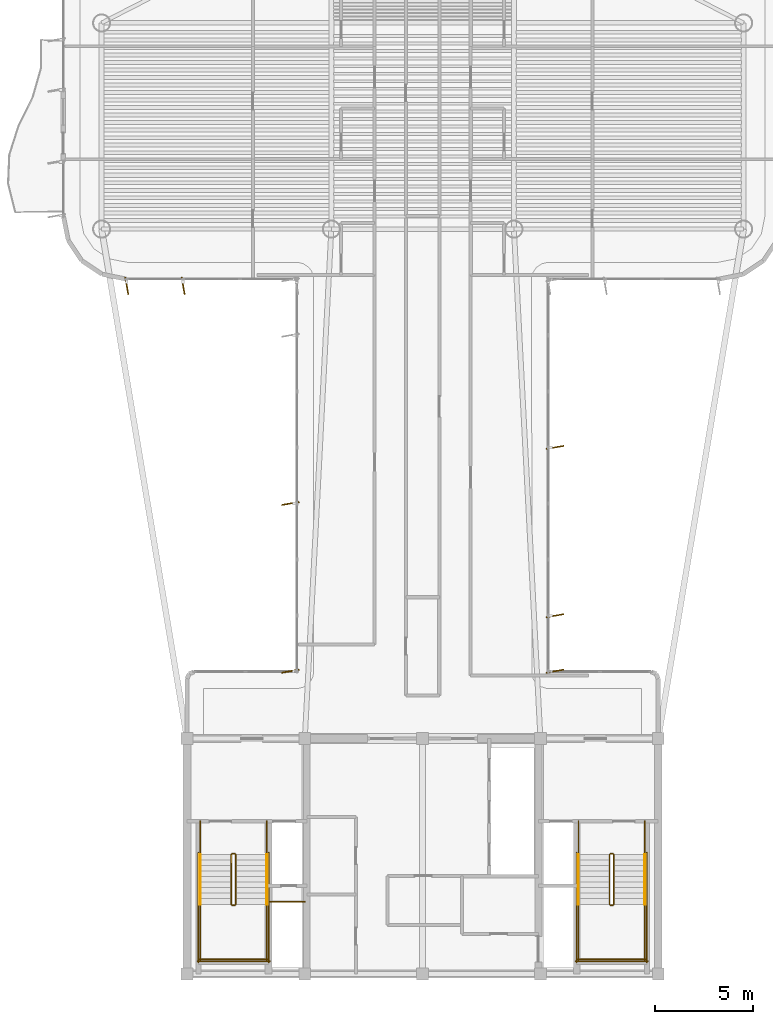
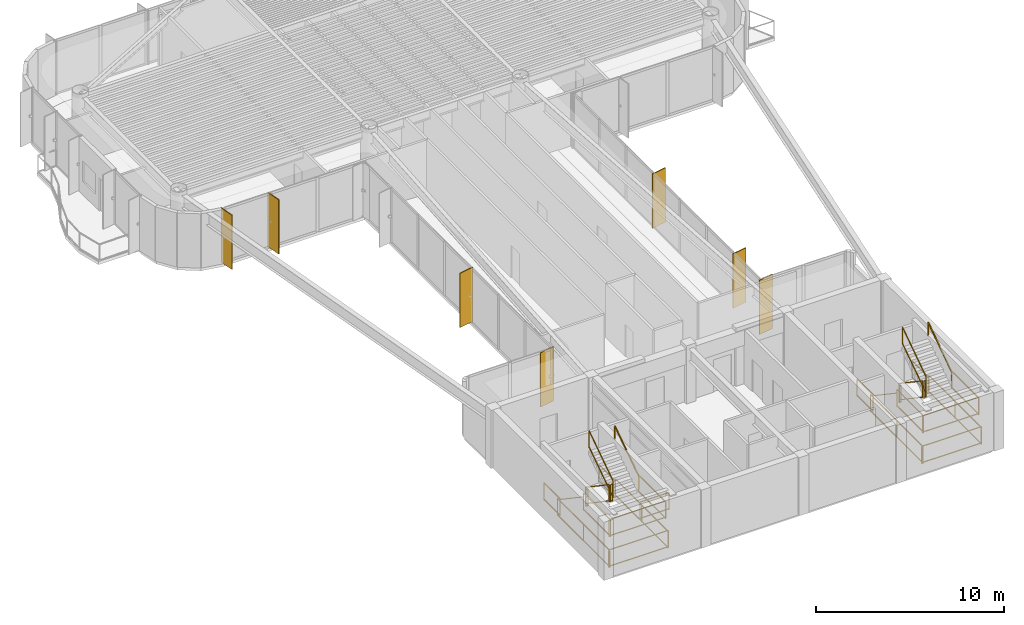
# One storey, part 15 of 16: 29 railings, 7 shading devices.
"""IFC4 building model written with IfcOpenShell, lengths in metres."""

from ifc_helpers import new_model, si_unit, direction, frame, origin, origin_2d, place, context, subcontext, project, spatial, rectangle, extrude, source, transform, mapped, material, layer, layer_set, material_profile, profile_set, type_object, element, save


model = new_model("IFC4")

# Units and contexts
model_context = context("Model", 3, precision=1e-05, world=origin(), true_north=direction((0.0, 1.0)))
body_context = subcontext(model_context, "Body", "Model", "MODEL_VIEW")
ifc_project = project(units=[si_unit("LENGTHUNIT", "METRE"), si_unit("AREAUNIT", "SQUARE_METRE"), si_unit("VOLUMEUNIT", "CUBIC_METRE"), si_unit("PLANEANGLEUNIT", "RADIAN"), si_unit("MASSUNIT", "GRAM", prefix="KILO")], contexts=[model_context])

# Site, building, storey
site_placement = place(None, origin())
site = spatial("IfcSite", under=ifc_project, at=site_placement, CompositionType="ELEMENT")
building_placement = place(site_placement, origin())
building = spatial("IfcBuilding", under=site, at=building_placement, Name="Brelvock Crest Care Tower", CompositionType="ELEMENT")
storey_placement = place(building_placement, frame((0.0, 0.0, 234.360107421875)))
storey = spatial("IfcBuildingStorey", under=building, at=storey_placement, Name="L59", CompositionType="ELEMENT", Elevation=234.360107421875)

# Railings
ifc_material_1 = material(Name="Steel Grade 350", Category="steel")
ifc_layer_1 = layer(ifc_material_1, 0.050048828125, Name="RL-STG1")
ifc_layer_set_1 = layer_set([ifc_layer_1], Name="Steel Grade 350")
railing_type_1 = type_object("IfcRailingType", Name="RL-STG1", PredefinedType="GUARDRAIL", material=ifc_layer_set_1)
railing_1_placement = place(storey_placement, frame((26.260009765625, 12.080078125, 0.18896484375)))
element("IfcRailing", 1, at=railing_1_placement, inside=storey, type_object=railing_type_1, Name="L59 ST-1 stair guard 1", PredefinedType="GUARDRAIL", context=body_context, shape_type="SweptSolid", body=[
    extrude(rectangle(XDim=0.048095703125, YDim=0.048095703125, at=origin_2d()), frame((0.0, -0.001708984375, 1.116943359375), z_axis=(0.0, -0.828861706735, 0.559453546873), x_axis=(1.0, 0.0, 0.0)), (0.0, 0.0, 1.0), 3.036376953125),
    extrude(rectangle(XDim=0.048095703125, YDim=0.048095703125, at=origin_2d()), frame((0.0, -0.001708984375, 0.05615234375), z_axis=(0.0, -0.828861706735, 0.559453546873), x_axis=(1.0, 0.0, 0.0)), (0.0, 0.0, 1.0), 3.036376953125),
    extrude(rectangle(XDim=0.0419921875, YDim=0.0419921875, at=origin_2d()), origin(), (0.0, 0.0, 1.0), 1.08984375),
    extrude(rectangle(XDim=0.0419921875, YDim=0.0419921875, at=origin_2d()), frame((0.0, -2.52001953125, 1.700927734375)), (0.0, 0.0, 1.0), 1.08984375),
])
railing_2_placement = place(storey_placement, frame((26.31005859375, 9.510009765625, 1.889892578125)))
element("IfcRailing", 2, at=railing_2_placement, inside=storey, type_object=railing_type_1, Name="L59 ST-1 stair guard 2", PredefinedType="GUARDRAIL", context=body_context, shape_type="SweptSolid", body=[
    extrude(rectangle(XDim=0.048095703125, YDim=0.048095703125, at=origin_2d()), frame((0.001953125, 0.0, 1.11572265625), z_axis=(1.0, 0.0, 0.0), x_axis=(0.0, 1.0, 0.0)), (0.0, 0.0, 1.0), 0.115966796875),
    extrude(rectangle(XDim=0.048095703125, YDim=0.048095703125, at=origin_2d()), frame((0.001953125, 0.0, 0.054931640625), z_axis=(1.0, 0.0, 0.0), x_axis=(0.0, 1.0, 0.0)), (0.0, 0.0, 1.0), 0.115966796875),
    extrude(rectangle(XDim=0.0419921875, YDim=0.0419921875, at=origin_2d()), origin(), (0.0, 0.0, 1.0), 1.08984375),
    extrude(rectangle(XDim=0.0419921875, YDim=0.0419921875, at=origin_2d()), frame((0.119873046875, 0.0, 0.0)), (0.0, 0.0, 1.0), 1.08984375),
])
for number, where, name in (
    (3, (24.679931640625, 9.56005859375, 1.889892578125), "L59 ST-1 stair guard 3"),
    (4, (28.06005859375, 9.56005859375, 1.889892578125), "L59 ST-1 stair guard 4"),
):
    element("IfcRailing", number, at=place(storey_placement, frame(where)), inside=storey, type_object=railing_type_1, Name=name, PredefinedType="GUARDRAIL", context=body_context, shape_type="SweptSolid", body=[
        extrude(rectangle(XDim=0.048095703125, YDim=0.048095703125, at=origin_2d()), frame((0.0, -0.001953125, 1.11572265625), z_axis=(0.0, -1.0, 0.0), x_axis=(1.0, 0.0, 0.0)), (0.0, 0.0, 1.0), 2.856201171875),
        extrude(rectangle(XDim=0.048095703125, YDim=0.048095703125, at=origin_2d()), frame((0.0, -0.001953125, 0.054931640625), z_axis=(0.0, -1.0, 0.0), x_axis=(1.0, 0.0, 0.0)), (0.0, 0.0, 1.0), 2.856201171875),
        extrude(rectangle(XDim=0.0419921875, YDim=0.0419921875, at=origin_2d()), origin(), (0.0, 0.0, 1.0), 1.08984375),
        extrude(rectangle(XDim=0.0419921875, YDim=0.0419921875, at=origin_2d()), frame((0.0, -2.860107421875, 0.0)), (0.0, 0.0, 1.0), 1.08984375),
    ])
railing_3_placement = place(storey_placement, frame((24.6298828125, 6.75, 1.889892578125)))
element("IfcRailing", 5, at=railing_3_placement, inside=storey, type_object=railing_type_1, Name="L59 ST-1 stair guard 5", PredefinedType="GUARDRAIL", context=body_context, shape_type="SweptSolid", body=[
    extrude(rectangle(XDim=0.048095703125, YDim=0.048095703125, at=origin_2d()), frame((0.001953125, 0.0, 1.11572265625), z_axis=(1.0, 0.0, 0.0), x_axis=(0.0, 1.0, 0.0)), (0.0, 0.0, 1.0), 3.476318359375),
    extrude(rectangle(XDim=0.048095703125, YDim=0.048095703125, at=origin_2d()), frame((0.001953125, 0.0, 0.054931640625), z_axis=(1.0, 0.0, 0.0), x_axis=(0.0, 1.0, 0.0)), (0.0, 0.0, 1.0), 3.476318359375),
    extrude(rectangle(XDim=0.0419921875, YDim=0.0419921875, at=origin_2d()), origin(), (0.0, 0.0, 1.0), 1.08984375),
    extrude(rectangle(XDim=0.0419921875, YDim=0.0419921875, at=origin_2d()), frame((3.480224609375, 0.0, 0.0)), (0.0, 0.0, 1.0), 1.08984375),
])
railing_4_placement = place(storey_placement, frame((26.47998046875, 9.56005859375, 2.078857421875)))
element("IfcRailing", 6, at=railing_4_placement, inside=storey, type_object=railing_type_1, Name="L59 ST-1 stair guard 6", PredefinedType="GUARDRAIL", context=body_context, shape_type="SweptSolid", body=[
    extrude(rectangle(XDim=0.048095703125, YDim=0.048095703125, at=origin_2d()), frame((0.0, 0.001708984375, 1.116943359375), z_axis=(0.0, 0.828861706735, 0.559453546873), x_axis=(-1.0, 0.0, 0.0)), (0.0, 0.0, 1.0), 3.036376953125),
    extrude(rectangle(XDim=0.048095703125, YDim=0.048095703125, at=origin_2d()), frame((0.0, 0.001708984375, 0.05615234375), z_axis=(0.0, 0.828861706735, 0.559453546873), x_axis=(-1.0, 0.0, 0.0)), (0.0, 0.0, 1.0), 3.036376953125),
    extrude(rectangle(XDim=0.0419921875, YDim=0.0419921875, at=origin_2d()), origin(), (0.0, 0.0, 1.0), 1.08984375),
    extrude(rectangle(XDim=0.0419921875, YDim=0.0419921875, at=origin_2d()), frame((0.0, 2.52001953125, 1.700927734375)), (0.0, 0.0, 1.0), 1.08984375),
])
railing_5_placement = place(storey_placement, frame((26.31005859375, 12.1298828125, 0.0)))
element("IfcRailing", 7, at=railing_5_placement, inside=storey, type_object=railing_type_1, Name="L59 ST-1 stair guard 7", PredefinedType="GUARDRAIL", context=body_context, shape_type="SweptSolid", body=[
    extrude(rectangle(XDim=0.048095703125, YDim=0.048095703125, at=origin_2d()), frame((0.001953125, 0.0, 1.11572265625), z_axis=(1.0, 0.0, 0.0), x_axis=(0.0, 1.0, 0.0)), (0.0, 0.0, 1.0), 0.115966796875),
    extrude(rectangle(XDim=0.048095703125, YDim=0.048095703125, at=origin_2d()), frame((0.001953125, 0.0, 0.054931640625), z_axis=(1.0, 0.0, 0.0), x_axis=(0.0, 1.0, 0.0)), (0.0, 0.0, 1.0), 0.115966796875),
    extrude(rectangle(XDim=0.0419921875, YDim=0.0419921875, at=origin_2d()), origin(), (0.0, 0.0, 1.0), 1.08984375),
    extrude(rectangle(XDim=0.0419921875, YDim=0.0419921875, at=origin_2d()), frame((0.119873046875, 0.0, 0.0)), (0.0, 0.0, 1.0), 1.08984375),
])
for number, where, name in (
    (8, (24.679931640625, 13.780029296875, 0.0), "L59 ST-1 stair guard 8"),
    (9, (28.06005859375, 13.780029296875, 0.0), "L59 ST-1 stair guard 9"),
):
    element("IfcRailing", number, at=place(storey_placement, frame(where)), inside=storey, type_object=railing_type_1, Name=name, PredefinedType="GUARDRAIL", context=body_context, shape_type="SweptSolid", body=[
        extrude(rectangle(XDim=0.048095703125, YDim=0.048095703125, at=origin_2d()), frame((0.0, -0.001953125, 1.11572265625), z_axis=(0.0, -1.0, 0.0), x_axis=(1.0, 0.0, 0.0)), (0.0, 0.0, 1.0), 1.696044921875),
        extrude(rectangle(XDim=0.048095703125, YDim=0.048095703125, at=origin_2d()), frame((0.0, -0.001953125, 0.054931640625), z_axis=(0.0, -1.0, 0.0), x_axis=(1.0, 0.0, 0.0)), (0.0, 0.0, 1.0), 1.696044921875),
        extrude(rectangle(XDim=0.0419921875, YDim=0.0419921875, at=origin_2d()), origin(), (0.0, 0.0, 1.0), 1.08984375),
        extrude(rectangle(XDim=0.0419921875, YDim=0.0419921875, at=origin_2d()), frame((0.0, -1.699951171875, 0.0)), (0.0, 0.0, 1.0), 1.08984375),
    ])
for number, where, name in (
    (10, (24.580078125, 12.179931640625, 0.0), "L59 ST-1 stair guard 10"),
    (11, (28.159912109375, 12.179931640625, 0.0), "L59 ST-1 stair guard 11"),
):
    element("IfcRailing", number, at=place(storey_placement, frame(where)), inside=storey, type_object=railing_type_1, Name=name, PredefinedType="GUARDRAIL", context=body_context, shape_type="SweptSolid", body=[
        extrude(rectangle(XDim=0.048095703125, YDim=0.048095703125, at=origin_2d()), frame((0.0, -0.001953125, 1.11572265625), z_axis=(0.0, -1.0, 0.0), x_axis=(1.0, 0.0, 0.0)), (0.0, 0.0, 1.0), 5.575927734375),
        extrude(rectangle(XDim=0.048095703125, YDim=0.048095703125, at=origin_2d()), frame((0.0, -0.001953125, 0.054931640625), z_axis=(0.0, -1.0, 0.0), x_axis=(1.0, 0.0, 0.0)), (0.0, 0.0, 1.0), 5.575927734375),
        extrude(rectangle(XDim=0.0419921875, YDim=0.0419921875, at=origin_2d()), origin(), (0.0, 0.0, 1.0), 1.08984375),
        extrude(rectangle(XDim=0.0419921875, YDim=0.0419921875, at=origin_2d()), frame((0.0, -2.7900390625, 0.0)), (0.0, 0.0, 1.0), 1.08984375),
        extrude(rectangle(XDim=0.0419921875, YDim=0.0419921875, at=origin_2d()), frame((0.0, -5.579833984375, 0.0)), (0.0, 0.0, 1.0), 1.08984375),
    ])
railing_6_placement = place(storey_placement, frame((24.530029296875, 6.64990234375, 0.0)))
element("IfcRailing", 12, at=railing_6_placement, inside=storey, type_object=railing_type_1, Name="L59 ST-1 stair guard 12", PredefinedType="GUARDRAIL", context=body_context, shape_type="SweptSolid", body=[
    extrude(rectangle(XDim=0.048095703125, YDim=0.048095703125, at=origin_2d()), frame((0.001953125, 0.0, 1.11572265625), z_axis=(1.0, 0.0, 0.0), x_axis=(0.0, 1.0, 0.0)), (0.0, 0.0, 1.0), 3.676025390625),
    extrude(rectangle(XDim=0.048095703125, YDim=0.048095703125, at=origin_2d()), frame((0.001953125, 0.0, 0.054931640625), z_axis=(1.0, 0.0, 0.0), x_axis=(0.0, 1.0, 0.0)), (0.0, 0.0, 1.0), 3.676025390625),
    extrude(rectangle(XDim=0.0419921875, YDim=0.0419921875, at=origin_2d()), origin(), (0.0, 0.0, 1.0), 1.08984375),
    extrude(rectangle(XDim=0.0419921875, YDim=0.0419921875, at=origin_2d()), frame((3.679931640625, 0.0, 0.0)), (0.0, 0.0, 1.0), 1.08984375),
])
railing_7_placement = place(storey_placement, frame((45.52001953125, 12.080078125, 0.18896484375)))
element("IfcRailing", 13, at=railing_7_placement, inside=storey, type_object=railing_type_1, Name="L59 ST-2 stair guard 1", PredefinedType="GUARDRAIL", context=body_context, shape_type="SweptSolid", body=[
    extrude(rectangle(XDim=0.048095703125, YDim=0.048095703125, at=origin_2d()), frame((0.0, -0.001708984375, 1.116943359375), z_axis=(0.0, -0.828861706735, 0.559453546873), x_axis=(1.0, 0.0, 0.0)), (0.0, 0.0, 1.0), 3.036376953125),
    extrude(rectangle(XDim=0.048095703125, YDim=0.048095703125, at=origin_2d()), frame((0.0, -0.001708984375, 0.05615234375), z_axis=(0.0, -0.828861706735, 0.559453546873), x_axis=(1.0, 0.0, 0.0)), (0.0, 0.0, 1.0), 3.036376953125),
    extrude(rectangle(XDim=0.0419921875, YDim=0.0419921875, at=origin_2d()), origin(), (0.0, 0.0, 1.0), 1.08984375),
    extrude(rectangle(XDim=0.0419921875, YDim=0.0419921875, at=origin_2d()), frame((0.0, -2.52001953125, 1.700927734375)), (0.0, 0.0, 1.0), 1.08984375),
])
railing_8_placement = place(storey_placement, frame((45.570068359375, 9.510009765625, 1.889892578125)))
element("IfcRailing", 14, at=railing_8_placement, inside=storey, type_object=railing_type_1, Name="L59 ST-2 stair guard 2", PredefinedType="GUARDRAIL", context=body_context, shape_type="SweptSolid", body=[
    extrude(rectangle(XDim=0.048095703125, YDim=0.048095703125, at=origin_2d()), frame((0.001953125, 0.0, 1.11572265625), z_axis=(1.0, 0.0, 0.0), x_axis=(0.0, 1.0, 0.0)), (0.0, 0.0, 1.0), 0.115966796875),
    extrude(rectangle(XDim=0.048095703125, YDim=0.048095703125, at=origin_2d()), frame((0.001953125, 0.0, 0.054931640625), z_axis=(1.0, 0.0, 0.0), x_axis=(0.0, 1.0, 0.0)), (0.0, 0.0, 1.0), 0.115966796875),
    extrude(rectangle(XDim=0.0419921875, YDim=0.0419921875, at=origin_2d()), origin(), (0.0, 0.0, 1.0), 1.08984375),
    extrude(rectangle(XDim=0.0419921875, YDim=0.0419921875, at=origin_2d()), frame((0.119873046875, 0.0, 0.0)), (0.0, 0.0, 1.0), 1.08984375),
])
for number, where, name in (
    (15, (43.93994140625, 9.56005859375, 1.889892578125), "L59 ST-2 stair guard 3"),
    (16, (47.320068359375, 9.56005859375, 1.889892578125), "L59 ST-2 stair guard 4"),
):
    element("IfcRailing", number, at=place(storey_placement, frame(where)), inside=storey, type_object=railing_type_1, Name=name, PredefinedType="GUARDRAIL", context=body_context, shape_type="SweptSolid", body=[
        extrude(rectangle(XDim=0.048095703125, YDim=0.048095703125, at=origin_2d()), frame((0.0, -0.001953125, 1.11572265625), z_axis=(0.0, -1.0, 0.0), x_axis=(1.0, 0.0, 0.0)), (0.0, 0.0, 1.0), 2.856201171875),
        extrude(rectangle(XDim=0.048095703125, YDim=0.048095703125, at=origin_2d()), frame((0.0, -0.001953125, 0.054931640625), z_axis=(0.0, -1.0, 0.0), x_axis=(1.0, 0.0, 0.0)), (0.0, 0.0, 1.0), 2.856201171875),
        extrude(rectangle(XDim=0.0419921875, YDim=0.0419921875, at=origin_2d()), origin(), (0.0, 0.0, 1.0), 1.08984375),
        extrude(rectangle(XDim=0.0419921875, YDim=0.0419921875, at=origin_2d()), frame((0.0, -2.860107421875, 0.0)), (0.0, 0.0, 1.0), 1.08984375),
    ])
railing_9_placement = place(storey_placement, frame((43.889892578125, 6.75, 1.889892578125)))
element("IfcRailing", 17, at=railing_9_placement, inside=storey, type_object=railing_type_1, Name="L59 ST-2 stair guard 5", PredefinedType="GUARDRAIL", context=body_context, shape_type="SweptSolid", body=[
    extrude(rectangle(XDim=0.048095703125, YDim=0.048095703125, at=origin_2d()), frame((0.001953125, 0.0, 1.11572265625), z_axis=(1.0, 0.0, 0.0), x_axis=(0.0, 1.0, 0.0)), (0.0, 0.0, 1.0), 3.476318359375),
    extrude(rectangle(XDim=0.048095703125, YDim=0.048095703125, at=origin_2d()), frame((0.001953125, 0.0, 0.054931640625), z_axis=(1.0, 0.0, 0.0), x_axis=(0.0, 1.0, 0.0)), (0.0, 0.0, 1.0), 3.476318359375),
    extrude(rectangle(XDim=0.0419921875, YDim=0.0419921875, at=origin_2d()), origin(), (0.0, 0.0, 1.0), 1.08984375),
    extrude(rectangle(XDim=0.0419921875, YDim=0.0419921875, at=origin_2d()), frame((3.480224609375, 0.0, 0.0)), (0.0, 0.0, 1.0), 1.08984375),
])
railing_10_placement = place(storey_placement, frame((45.739990234375, 9.56005859375, 2.078857421875)))
element("IfcRailing", 18, at=railing_10_placement, inside=storey, type_object=railing_type_1, Name="L59 ST-2 stair guard 6", PredefinedType="GUARDRAIL", context=body_context, shape_type="SweptSolid", body=[
    extrude(rectangle(XDim=0.048095703125, YDim=0.048095703125, at=origin_2d()), frame((0.0, 0.001708984375, 1.116943359375), z_axis=(0.0, 0.828861706735, 0.559453546873), x_axis=(-1.0, 0.0, 0.0)), (0.0, 0.0, 1.0), 3.036376953125),
    extrude(rectangle(XDim=0.048095703125, YDim=0.048095703125, at=origin_2d()), frame((0.0, 0.001708984375, 0.05615234375), z_axis=(0.0, 0.828861706735, 0.559453546873), x_axis=(-1.0, 0.0, 0.0)), (0.0, 0.0, 1.0), 3.036376953125),
    extrude(rectangle(XDim=0.0419921875, YDim=0.0419921875, at=origin_2d()), origin(), (0.0, 0.0, 1.0), 1.08984375),
    extrude(rectangle(XDim=0.0419921875, YDim=0.0419921875, at=origin_2d()), frame((0.0, 2.52001953125, 1.700927734375)), (0.0, 0.0, 1.0), 1.08984375),
])
railing_11_placement = place(storey_placement, frame((45.570068359375, 12.1298828125, 0.0)))
element("IfcRailing", 19, at=railing_11_placement, inside=storey, type_object=railing_type_1, Name="L59 ST-2 stair guard 7", PredefinedType="GUARDRAIL", context=body_context, shape_type="SweptSolid", body=[
    extrude(rectangle(XDim=0.048095703125, YDim=0.048095703125, at=origin_2d()), frame((0.001953125, 0.0, 1.11572265625), z_axis=(1.0, 0.0, 0.0), x_axis=(0.0, 1.0, 0.0)), (0.0, 0.0, 1.0), 0.115966796875),
    extrude(rectangle(XDim=0.048095703125, YDim=0.048095703125, at=origin_2d()), frame((0.001953125, 0.0, 0.054931640625), z_axis=(1.0, 0.0, 0.0), x_axis=(0.0, 1.0, 0.0)), (0.0, 0.0, 1.0), 0.115966796875),
    extrude(rectangle(XDim=0.0419921875, YDim=0.0419921875, at=origin_2d()), origin(), (0.0, 0.0, 1.0), 1.08984375),
    extrude(rectangle(XDim=0.0419921875, YDim=0.0419921875, at=origin_2d()), frame((0.119873046875, 0.0, 0.0)), (0.0, 0.0, 1.0), 1.08984375),
])
for number, where, name in (
    (20, (43.93994140625, 13.780029296875, 0.0), "L59 ST-2 stair guard 8"),
    (21, (47.320068359375, 13.780029296875, 0.0), "L59 ST-2 stair guard 9"),
):
    element("IfcRailing", number, at=place(storey_placement, frame(where)), inside=storey, type_object=railing_type_1, Name=name, PredefinedType="GUARDRAIL", context=body_context, shape_type="SweptSolid", body=[
        extrude(rectangle(XDim=0.048095703125, YDim=0.048095703125, at=origin_2d()), frame((0.0, -0.001953125, 1.11572265625), z_axis=(0.0, -1.0, 0.0), x_axis=(1.0, 0.0, 0.0)), (0.0, 0.0, 1.0), 1.696044921875),
        extrude(rectangle(XDim=0.048095703125, YDim=0.048095703125, at=origin_2d()), frame((0.0, -0.001953125, 0.054931640625), z_axis=(0.0, -1.0, 0.0), x_axis=(1.0, 0.0, 0.0)), (0.0, 0.0, 1.0), 1.696044921875),
        extrude(rectangle(XDim=0.0419921875, YDim=0.0419921875, at=origin_2d()), origin(), (0.0, 0.0, 1.0), 1.08984375),
        extrude(rectangle(XDim=0.0419921875, YDim=0.0419921875, at=origin_2d()), frame((0.0, -1.699951171875, 0.0)), (0.0, 0.0, 1.0), 1.08984375),
    ])
for number, where, name in (
    (22, (43.840087890625, 12.179931640625, 0.0), "L59 ST-2 stair guard 10"),
    (23, (47.419921875, 12.179931640625, 0.0), "L59 ST-2 stair guard 11"),
):
    element("IfcRailing", number, at=place(storey_placement, frame(where)), inside=storey, type_object=railing_type_1, Name=name, PredefinedType="GUARDRAIL", context=body_context, shape_type="SweptSolid", body=[
        extrude(rectangle(XDim=0.048095703125, YDim=0.048095703125, at=origin_2d()), frame((0.0, -0.001953125, 1.11572265625), z_axis=(0.0, -1.0, 0.0), x_axis=(1.0, 0.0, 0.0)), (0.0, 0.0, 1.0), 5.575927734375),
        extrude(rectangle(XDim=0.048095703125, YDim=0.048095703125, at=origin_2d()), frame((0.0, -0.001953125, 0.054931640625), z_axis=(0.0, -1.0, 0.0), x_axis=(1.0, 0.0, 0.0)), (0.0, 0.0, 1.0), 5.575927734375),
        extrude(rectangle(XDim=0.0419921875, YDim=0.0419921875, at=origin_2d()), origin(), (0.0, 0.0, 1.0), 1.08984375),
        extrude(rectangle(XDim=0.0419921875, YDim=0.0419921875, at=origin_2d()), frame((0.0, -2.7900390625, 0.0)), (0.0, 0.0, 1.0), 1.08984375),
        extrude(rectangle(XDim=0.0419921875, YDim=0.0419921875, at=origin_2d()), frame((0.0, -5.579833984375, 0.0)), (0.0, 0.0, 1.0), 1.08984375),
    ])
railing_12_placement = place(storey_placement, frame((43.7900390625, 6.64990234375, 0.0)))
element("IfcRailing", 24, at=railing_12_placement, inside=storey, type_object=railing_type_1, Name="L59 ST-2 stair guard 12", PredefinedType="GUARDRAIL", context=body_context, shape_type="SweptSolid", body=[
    extrude(rectangle(XDim=0.048095703125, YDim=0.048095703125, at=origin_2d()), frame((0.001953125, 0.0, 1.11572265625), z_axis=(1.0, 0.0, 0.0), x_axis=(0.0, 1.0, 0.0)), (0.0, 0.0, 1.0), 3.676025390625),
    extrude(rectangle(XDim=0.048095703125, YDim=0.048095703125, at=origin_2d()), frame((0.001953125, 0.0, 0.054931640625), z_axis=(1.0, 0.0, 0.0), x_axis=(0.0, 1.0, 0.0)), (0.0, 0.0, 1.0), 3.676025390625),
    extrude(rectangle(XDim=0.0419921875, YDim=0.0419921875, at=origin_2d()), origin(), (0.0, 0.0, 1.0), 1.08984375),
    extrude(rectangle(XDim=0.0419921875, YDim=0.0419921875, at=origin_2d()), frame((3.679931640625, 0.0, 0.0)), (0.0, 0.0, 1.0), 1.08984375),
])
railing_13_placement = place(storey_placement, frame((28.219970703125, 9.679931640625, 0.0)))
element("IfcRailing", 25, at=railing_13_placement, inside=storey, type_object=railing_type_1, Name="L59 Fire Riser Threshold Guard", PredefinedType="GUARDRAIL", context=body_context, shape_type="SweptSolid", body=[
    extrude(rectangle(XDim=0.048095703125, YDim=0.048095703125, at=origin_2d()), frame((0.001953125, 0.0, 1.11572265625), z_axis=(1.0, 0.0, 0.0), x_axis=(0.0, 1.0, 0.0)), (0.0, 0.0, 1.0), 1.776123046875),
    extrude(rectangle(XDim=0.048095703125, YDim=0.048095703125, at=origin_2d()), frame((0.001953125, 0.0, 0.054931640625), z_axis=(1.0, 0.0, 0.0), x_axis=(0.0, 1.0, 0.0)), (0.0, 0.0, 1.0), 1.776123046875),
    extrude(rectangle(XDim=0.0419921875, YDim=0.0419921875, at=origin_2d()), origin(), (0.0, 0.0, 1.0), 1.08984375),
    extrude(rectangle(XDim=0.0419921875, YDim=0.0419921875, at=origin_2d()), frame((1.780029296875, 0.0, 0.0)), (0.0, 0.0, 1.0), 1.08984375),
])
ifc_layer_2 = layer(ifc_material_1, 0.048095703125, Name="RL-STH1")
ifc_layer_set_2 = layer_set([ifc_layer_2], Name="Steel Grade 350")
railing_type_2 = type_object("IfcRailingType", Name="RL-STH1", PredefinedType="HANDRAIL", material=ifc_layer_set_2)
railing_14_placement = place(storey_placement, frame((24.679931640625, 12.080078125, 0.18896484375)))
element("IfcRailing", 26, at=railing_14_placement, inside=storey, type_object=railing_type_2, Name="L59 ST-1 stair handrail 1", PredefinedType="HANDRAIL", context=body_context, shape_type="SweptSolid", body=[
    extrude(rectangle(XDim=0.048095703125, YDim=0.048095703125, at=origin_2d()), frame((0.0, -0.001708984375, 0.876953125), z_axis=(0.0, -0.828861706735, 0.559453546873), x_axis=(1.0, 0.0, 0.0)), (0.0, 0.0, 1.0), 3.036376953125),
    extrude(rectangle(XDim=0.0419921875, YDim=0.0419921875, at=origin_2d()), origin(), (0.0, 0.0, 1.0), 0.849853515625),
    extrude(rectangle(XDim=0.0419921875, YDim=0.0419921875, at=origin_2d()), frame((0.0, -2.52001953125, 1.700927734375)), (0.0, 0.0, 1.0), 0.849853515625),
])
railing_15_placement = place(storey_placement, frame((28.06005859375, 9.56005859375, 2.078857421875)))
element("IfcRailing", 27, at=railing_15_placement, inside=storey, type_object=railing_type_2, Name="L59 ST-1 stair handrail 2", PredefinedType="HANDRAIL", context=body_context, shape_type="SweptSolid", body=[
    extrude(rectangle(XDim=0.048095703125, YDim=0.048095703125, at=origin_2d()), frame((0.0, 0.001708984375, 0.876953125), z_axis=(0.0, 0.828861706735, 0.559453546873), x_axis=(-1.0, 0.0, 0.0)), (0.0, 0.0, 1.0), 3.036376953125),
    extrude(rectangle(XDim=0.0419921875, YDim=0.0419921875, at=origin_2d()), origin(), (0.0, 0.0, 1.0), 0.849853515625),
    extrude(rectangle(XDim=0.0419921875, YDim=0.0419921875, at=origin_2d()), frame((0.0, 2.52001953125, 1.700927734375)), (0.0, 0.0, 1.0), 0.849853515625),
])
railing_16_placement = place(storey_placement, frame((43.93994140625, 12.080078125, 0.18896484375)))
element("IfcRailing", 28, at=railing_16_placement, inside=storey, type_object=railing_type_2, Name="L59 ST-2 stair handrail 1", PredefinedType="HANDRAIL", context=body_context, shape_type="SweptSolid", body=[
    extrude(rectangle(XDim=0.048095703125, YDim=0.048095703125, at=origin_2d()), frame((0.0, -0.001708984375, 0.876953125), z_axis=(0.0, -0.828861706735, 0.559453546873), x_axis=(1.0, 0.0, 0.0)), (0.0, 0.0, 1.0), 3.036376953125),
    extrude(rectangle(XDim=0.0419921875, YDim=0.0419921875, at=origin_2d()), origin(), (0.0, 0.0, 1.0), 0.849853515625),
    extrude(rectangle(XDim=0.0419921875, YDim=0.0419921875, at=origin_2d()), frame((0.0, -2.52001953125, 1.700927734375)), (0.0, 0.0, 1.0), 0.849853515625),
])
railing_17_placement = place(storey_placement, frame((47.320068359375, 9.56005859375, 2.078857421875)))
element("IfcRailing", 29, at=railing_17_placement, inside=storey, type_object=railing_type_2, Name="L59 ST-2 stair handrail 2", PredefinedType="HANDRAIL", context=body_context, shape_type="SweptSolid", body=[
    extrude(rectangle(XDim=0.048095703125, YDim=0.048095703125, at=origin_2d()), frame((0.0, 0.001708984375, 0.876953125), z_axis=(0.0, 0.828861706735, 0.559453546873), x_axis=(-1.0, 0.0, 0.0)), (0.0, 0.0, 1.0), 3.036376953125),
    extrude(rectangle(XDim=0.0419921875, YDim=0.0419921875, at=origin_2d()), origin(), (0.0, 0.0, 1.0), 0.849853515625),
    extrude(rectangle(XDim=0.0419921875, YDim=0.0419921875, at=origin_2d()), frame((0.0, 2.52001953125, 1.700927734375)), (0.0, 0.0, 1.0), 0.849853515625),
])

# Shading devices
ifc_material_2 = material(Name="Aluminium 6063-T6", Category="aluminium")
ifc_material_profile = material_profile(ifc_material_2, rectangle(XDim=0.054931640625, YDim=0.89990234375, at=origin_2d()), Name="FIN55x900")
ifc_profile_set = profile_set([ifc_material_profile], Name="Aluminium 6063-T6")
shading_device_type = type_object("IfcShadingDeviceType", Name="SHD-FIN1", PredefinedType="USERDEFINED", material=ifc_profile_set)
shared_shape = source(origin(), body_context, "Body", "SweptSolid", [
    extrude(rectangle(XDim=0.054931640625, YDim=0.89990234375, at=origin_2d()), origin(), (0.0, 0.0, 1.0), 3.52978515625),
])
for number, where, z_axis, x_axis, name in (
    (30, (29.260009765625, 21.429931640625, 0.0), (0.0, 0.0, 1.0), (-0.173648177667, 0.984807753012, 0.0), "L59 Vertical Sunshade Fin E11-01"),
    (31, (29.260009765625, 29.971435546875, 0.0), (0.0, 0.0, 1.0), (-0.173648177667, 0.984807753012, 0.0), "L59 Vertical Sunshade Fin E11-04"),
    (32, (23.800048828125, 41.06005859375, 0.0), (0.0, 0.0, 1.0), (-0.984807753012, -0.173648177667, 0.0), "L59 Vertical Sunshade Fin E12-03"),
    (33, (20.929931640625, 41.06005859375, 0.0), (0.0, 0.0, 1.0), (-0.984807753012, -0.173648177667, 0.0), "L59 Vertical Sunshade Fin E12-04"),
    (34, (42.739990234375, 32.82861328125, 0.0), (0.0, 0.0, 1.0), (0.173648177667, -0.984807753012, 0.0), "L59 Vertical Sunshade Fin E45-04"),
    (35, (42.739990234375, 24.257080078125, 0.0), (0.0, 0.0, 1.0), (0.173648177667, -0.984807753012, 0.0), "L59 Vertical Sunshade Fin E45-07"),
    (36, (42.739990234375, 21.429931640625, 0.0), (0.0, 0.0, 1.0), (0.173648177667, -0.984807753012, 0.0), "L59 Vertical Sunshade Fin E45-08"),
):
    element("IfcShadingDevice", number, at=place(storey_placement, frame(where, z_axis=z_axis, x_axis=x_axis)), inside=storey, type_object=shading_device_type, Name=name, ObjectType="FIN", PredefinedType="USERDEFINED", context=body_context, shape_type="MappedRepresentation", body=[
        mapped(shared_shape, transform((0.0, 0.0, 0.0), x_axis=(1.0, 0.0, 0.0), y_axis=(0.0, 1.0, 0.0), z_axis=(0.0, 0.0, 1.0), scale=1.0)),
    ])

save(model, "model.ifc")
